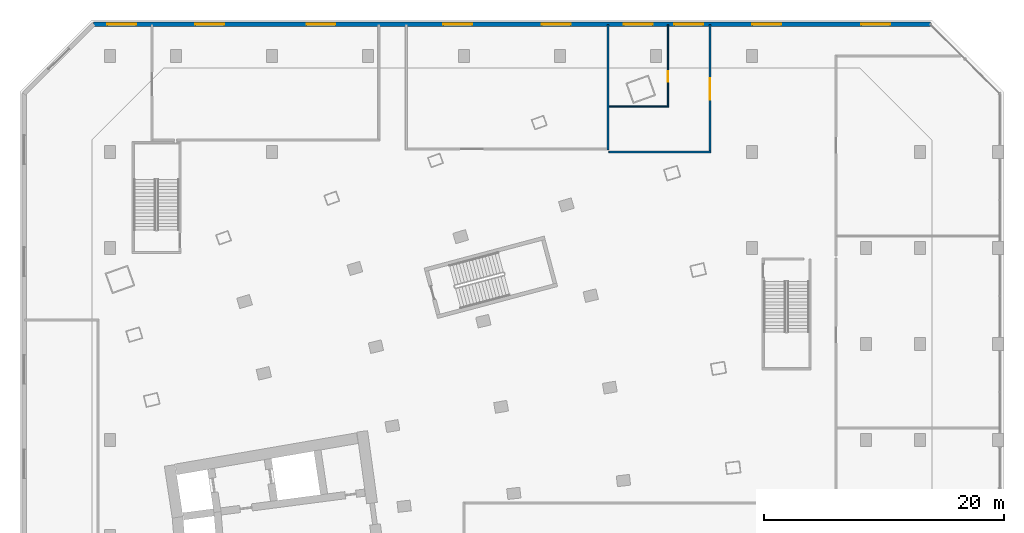
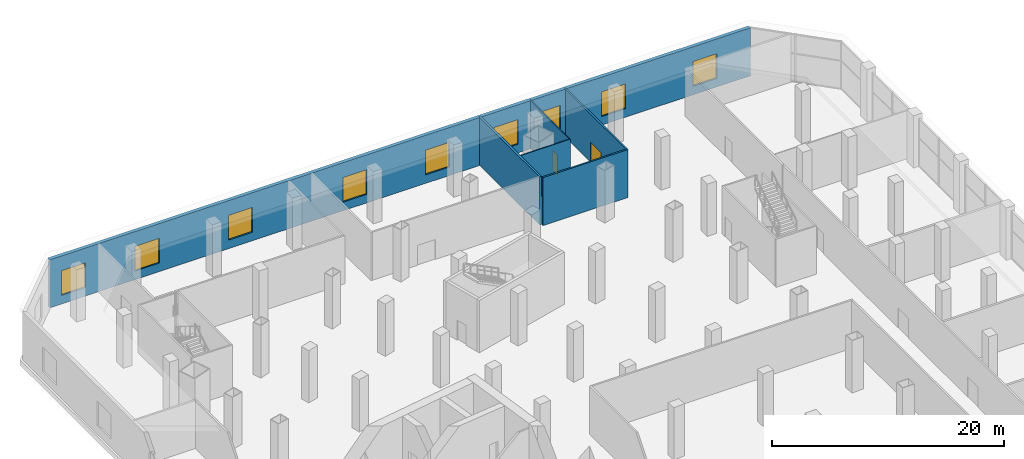
# One storey, part 17 of 26: 9 windows, 6 walls, 2 doors, 11 openings.
"""IFC4 building model written with IfcOpenShell, lengths in metres."""

from ifc_helpers import new_model, si_unit, direction, frame, frame_2d, origin, place, context, subcontext, project, spatial, rectangle, extrude, material, layer, layer_set, type_object, element, fill, save


model = new_model("IFC4")

# Units and contexts
model_context = context("Model", 3, precision=1e-05, world=origin(), true_north=direction((0.0, 1.0)))
body_context = subcontext(model_context, "Body", "Model", "MODEL_VIEW")
ifc_project = project(units=[si_unit("LENGTHUNIT", "METRE"), si_unit("AREAUNIT", "SQUARE_METRE"), si_unit("VOLUMEUNIT", "CUBIC_METRE"), si_unit("PLANEANGLEUNIT", "RADIAN"), si_unit("MASSUNIT", "GRAM", prefix="KILO")], contexts=[model_context])

# Site, building, storey
site_placement = place(None, origin())
site = spatial("IfcSite", under=ifc_project, at=site_placement, CompositionType="ELEMENT")
building_placement = place(site_placement, origin())
building = spatial("IfcBuilding", under=site, at=building_placement, Name="Alderwake Tower", CompositionType="ELEMENT")
storey_placement = place(building_placement, frame((0.0, 0.0, 8.0)))
storey = spatial("IfcBuildingStorey", under=building, at=storey_placement, Name="L01", CompositionType="ELEMENT", Elevation=8.0)

# Wall
ifc_material_1 = material(Name="Gypsum board on metal studs, rated")
ifc_layer_1 = layer(ifc_material_1, 0.159912109375)
ifc_layer_set_1 = layer_set([ifc_layer_1], Name="Corridor wall 160")
wall_type_1 = type_object("IfcWallType", Name="Corridor wall 160", PredefinedType="PARTITIONING", material=ifc_layer_set_1)
wall_1_placement = place(storey_placement, frame((60.5810546875, 104.0009765625, 0.0), z_axis=(0.0, 0.0, 1.0), x_axis=(-1.0, 0.0, 0.0)))
element("IfcWall", 1, at=wall_1_placement, inside=storey, type_object=wall_type_1, Name="WL/L01/W55", PredefinedType="PARTITIONING", context=body_context, shape_type="SweptSolid", body=[
    extrude(rectangle(XDim=8.501953125, YDim=0.159912109375, at=frame_2d((4.2509765625, 0.0))), origin(), (0.0, 0.0, 1.0), 5.050048828125),
])

# Wall, opening, door
wall_2_placement = place(storey_placement, frame((60.5009765625, 114.6201171875, 0.0), z_axis=(0.0, 0.0, 1.0), x_axis=(0.0, -1.0, 0.0)))
wall_2 = element("IfcWall", 2, at=wall_2_placement, inside=storey, type_object=wall_type_1, Name="WL/L01/W56", PredefinedType="PARTITIONING", context=body_context, shape_type="SweptSolid", body=[
    extrude(rectangle(XDim=10.5390625, YDim=0.159912109375, at=frame_2d((5.26953125, 0.0))), origin(), (0.0, 0.0, 1.0), 5.050048828125),
])
opening_1_placement = place(wall_2_placement, frame((4.469970703125, 0.0, 0.0)))
opening_1 = element("IfcOpeningElement", 3, at=opening_1_placement, cuts=wall_2, Name="Opening L01-14", PredefinedType="OPENING", context=body_context, shape_type="SweptSolid", body=[
    extrude(rectangle(XDim=1.800048828125, YDim=2.10009765625, at=frame_2d((0.89990234375, 1.050048828125))), frame((0.0, 0.08984375, 0.0), z_axis=(0.0, -1.0, 0.0), x_axis=(1.0, 0.0, 0.0)), (0.0, 0.0, 1.0), 0.179931640625),
])
ifc_material_2 = material(Name="Aluminium framed glazed leaves", Category="aluminium")
door_type_1 = type_object("IfcDoorType", Name="Shopfront door 1800 glazed double", OperationType="DOUBLE_DOOR_SINGLE_SWING", PredefinedType="DOOR", material=ifc_material_2)
door_1_placement = place(opening_1_placement, origin())
door_1 = element("IfcDoor", 4, at=door_1_placement, inside=storey, type_object=door_type_1, Name="DR/L01/14", OperationType="DOUBLE_DOOR_SINGLE_SWING", OverallHeight=2.10009765625, OverallWidth=1.800048828125, PredefinedType="DOOR", context=body_context, shape_type="SweptSolid", body=[
    extrude(rectangle(XDim=1.800048828125, YDim=2.10009765625, at=frame_2d((0.89990234375, 1.050048828125))), frame((0.0, 0.02490234375, 0.0), z_axis=(0.0, -1.0, 0.0), x_axis=(1.0, 0.0, 0.0)), (0.0, 0.0, 1.0), 0.050048828125),
])
fill(opening_1, door_1)

# Wall, openings, windows
ifc_material_3 = material(Name="Precast concrete C50/60 spandrel panel", Category="concrete")
ifc_layer_2 = layer(ifc_material_3, 0.35009765625)
ifc_layer_set_2 = layer_set([ifc_layer_2], Name="External wall EW4 Precast concrete C50/60 podium")
wall_type_2 = type_object("IfcWallType", Name="External wall EW4 Precast concrete C50/60 podium", PredefinedType="SOLIDWALL", material=ifc_layer_set_2)
wall_3_placement = place(storey_placement, frame((78.85498046875, 114.64990234375, 0.0), z_axis=(0.0, 0.0, 1.0), x_axis=(-1.0, 0.0, 0.0)))
wall_3 = element("IfcWall", 5, at=wall_3_placement, inside=storey, type_object=wall_type_2, Name="External wall 1", PredefinedType="SOLIDWALL", context=body_context, shape_type="SweptSolid", body=[
    extrude(rectangle(XDim=69.72509765625, YDim=0.35009765625, at=frame_2d((34.862548828125, 0.0))), origin(), (0.0, 0.0, 1.0), 5.050048828125),
])
opening_2_placement = place(wall_3_placement, frame((3.343505859375, 0.0, 0.89990234375)))
opening_2 = element("IfcOpeningElement", 6, at=opening_2_placement, cuts=wall_3, Name="Opening W6", PredefinedType="OPENING", context=body_context, shape_type="SweptSolid", body=[
    extrude(rectangle(XDim=2.39990234375, YDim=2.60009765625, at=frame_2d((1.199951171875, 1.300048828125))), frame((0.0, 0.18505859375, 0.0), z_axis=(0.0, -1.0, 0.0), x_axis=(1.0, 0.0, 0.0)), (0.0, 0.0, 1.0), 0.3701171875),
])
opening_3_placement = place(wall_3_placement, frame((12.430419921875, 0.0, 0.89990234375)))
opening_3 = element("IfcOpeningElement", 7, at=opening_3_placement, cuts=wall_3, Name="Opening W6", PredefinedType="OPENING", context=body_context, shape_type="SweptSolid", body=[
    extrude(rectangle(XDim=2.39990234375, YDim=2.60009765625, at=frame_2d((1.199951171875, 1.300048828125))), frame((0.0, 0.18505859375, 0.0), z_axis=(0.0, -1.0, 0.0), x_axis=(1.0, 0.0, 0.0)), (0.0, 0.0, 1.0), 0.3701171875),
])
opening_4_placement = place(wall_3_placement, frame((18.91943359375, 0.0, 0.89990234375)))
opening_4 = element("IfcOpeningElement", 8, at=opening_4_placement, cuts=wall_3, Name="Opening W6", PredefinedType="OPENING", context=body_context, shape_type="SweptSolid", body=[
    extrude(rectangle(XDim=2.39990234375, YDim=2.60009765625, at=frame_2d((1.199951171875, 1.300048828125))), frame((0.0, 0.18505859375, 0.0), z_axis=(0.0, -1.0, 0.0), x_axis=(1.0, 0.0, 0.0)), (0.0, 0.0, 1.0), 0.3701171875),
])
opening_5_placement = place(wall_3_placement, frame((23.130615234375, 0.0, 0.89990234375)))
opening_5 = element("IfcOpeningElement", 9, at=opening_5_placement, cuts=wall_3, Name="Opening W6", PredefinedType="OPENING", context=body_context, shape_type="SweptSolid", body=[
    extrude(rectangle(XDim=2.39990234375, YDim=2.60009765625, at=frame_2d((1.199951171875, 1.300048828125))), frame((0.0, 0.18505859375, 0.0), z_axis=(0.0, -1.0, 0.0), x_axis=(1.0, 0.0, 0.0)), (0.0, 0.0, 1.0), 0.3701171875),
])
opening_6_placement = place(wall_3_placement, frame((29.9609375, 0.0, 0.89990234375)))
opening_6 = element("IfcOpeningElement", 10, at=opening_6_placement, cuts=wall_3, Name="Opening W6", PredefinedType="OPENING", context=body_context, shape_type="SweptSolid", body=[
    extrude(rectangle(XDim=2.39990234375, YDim=2.60009765625, at=frame_2d((1.199951171875, 1.300048828125))), frame((0.0, 0.18505859375, 0.0), z_axis=(0.0, -1.0, 0.0), x_axis=(1.0, 0.0, 0.0)), (0.0, 0.0, 1.0), 0.3701171875),
])
opening_7_placement = place(wall_3_placement, frame((38.1708984375, 0.0, 0.89990234375)))
opening_7 = element("IfcOpeningElement", 11, at=opening_7_placement, cuts=wall_3, Name="Opening W6", PredefinedType="OPENING", context=body_context, shape_type="SweptSolid", body=[
    extrude(rectangle(XDim=2.39990234375, YDim=2.60009765625, at=frame_2d((1.199951171875, 1.300048828125))), frame((0.0, 0.18505859375, 0.0), z_axis=(0.0, -1.0, 0.0), x_axis=(1.0, 0.0, 0.0)), (0.0, 0.0, 1.0), 0.3701171875),
])
opening_8_placement = place(wall_3_placement, frame((49.569091796875, 0.0, 0.89990234375)))
opening_8 = element("IfcOpeningElement", 12, at=opening_8_placement, cuts=wall_3, Name="Opening W6", PredefinedType="OPENING", context=body_context, shape_type="SweptSolid", body=[
    extrude(rectangle(XDim=2.39990234375, YDim=2.60009765625, at=frame_2d((1.199951171875, 1.300048828125))), frame((0.0, 0.18505859375, 0.0), z_axis=(0.0, -1.0, 0.0), x_axis=(1.0, 0.0, 0.0)), (0.0, 0.0, 1.0), 0.3701171875),
])
opening_9_placement = place(wall_3_placement, frame((58.839111328125, 0.0, 0.89990234375)))
opening_9 = element("IfcOpeningElement", 13, at=opening_9_placement, cuts=wall_3, Name="Opening W6", PredefinedType="OPENING", context=body_context, shape_type="SweptSolid", body=[
    extrude(rectangle(XDim=2.39990234375, YDim=2.60009765625, at=frame_2d((1.199951171875, 1.300048828125))), frame((0.0, 0.18505859375, 0.0), z_axis=(0.0, -1.0, 0.0), x_axis=(1.0, 0.0, 0.0)), (0.0, 0.0, 1.0), 0.3701171875),
])
opening_10_placement = place(wall_3_placement, frame((66.179443359375, 0.0, 0.89990234375)))
opening_10 = element("IfcOpeningElement", 14, at=opening_10_placement, cuts=wall_3, Name="Opening W6", PredefinedType="OPENING", context=body_context, shape_type="SweptSolid", body=[
    extrude(rectangle(XDim=2.39990234375, YDim=2.60009765625, at=frame_2d((1.199951171875, 1.300048828125))), frame((0.0, 0.18505859375, 0.0), z_axis=(0.0, -1.0, 0.0), x_axis=(1.0, 0.0, 0.0)), (0.0, 0.0, 1.0), 0.3701171875),
])
ifc_material_4 = material(Name="Bronze tinted glass in aluminium frame", Category="aluminium")
window_type = type_object("IfcWindowType", Name="Window W6 podium", PartitioningType="DOUBLE_PANEL_VERTICAL", PredefinedType="WINDOW", material=ifc_material_4)
window_1_placement = place(opening_2_placement, origin())
window_1 = element("IfcWindow", 15, at=window_1_placement, inside=storey, type_object=window_type, Name="Window W6 podium", OverallHeight=2.60009765625, OverallWidth=2.39990234375, PartitioningType="DOUBLE_PANEL_VERTICAL", PredefinedType="WINDOW", context=body_context, shape_type="SweptSolid", body=[
    extrude(rectangle(XDim=2.39990234375, YDim=2.60009765625, at=frame_2d((1.199951171875, 1.300048828125))), frame((0.0, 0.030029296875, 0.0), z_axis=(0.0, -1.0, 0.0), x_axis=(1.0, 0.0, 0.0)), (0.0, 0.0, 1.0), 0.06005859375),
])
fill(opening_2, window_1)
window_2_placement = place(opening_3_placement, origin())
window_2 = element("IfcWindow", 16, at=window_2_placement, inside=storey, type_object=window_type, Name="Window W6 podium", OverallHeight=2.60009765625, OverallWidth=2.39990234375, PartitioningType="DOUBLE_PANEL_VERTICAL", PredefinedType="WINDOW", context=body_context, shape_type="SweptSolid", body=[
    extrude(rectangle(XDim=2.39990234375, YDim=2.60009765625, at=frame_2d((1.199951171875, 1.300048828125))), frame((0.0, 0.030029296875, 0.0), z_axis=(0.0, -1.0, 0.0), x_axis=(1.0, 0.0, 0.0)), (0.0, 0.0, 1.0), 0.06005859375),
])
fill(opening_3, window_2)
window_3_placement = place(opening_4_placement, origin())
window_3 = element("IfcWindow", 17, at=window_3_placement, inside=storey, type_object=window_type, Name="Window W6 podium", OverallHeight=2.60009765625, OverallWidth=2.39990234375, PartitioningType="DOUBLE_PANEL_VERTICAL", PredefinedType="WINDOW", context=body_context, shape_type="SweptSolid", body=[
    extrude(rectangle(XDim=2.39990234375, YDim=2.60009765625, at=frame_2d((1.199951171875, 1.300048828125))), frame((0.0, 0.030029296875, 0.0), z_axis=(0.0, -1.0, 0.0), x_axis=(1.0, 0.0, 0.0)), (0.0, 0.0, 1.0), 0.06005859375),
])
fill(opening_4, window_3)
window_4_placement = place(opening_5_placement, origin())
window_4 = element("IfcWindow", 18, at=window_4_placement, inside=storey, type_object=window_type, Name="Window W6 podium", OverallHeight=2.60009765625, OverallWidth=2.39990234375, PartitioningType="DOUBLE_PANEL_VERTICAL", PredefinedType="WINDOW", context=body_context, shape_type="SweptSolid", body=[
    extrude(rectangle(XDim=2.39990234375, YDim=2.60009765625, at=frame_2d((1.199951171875, 1.300048828125))), frame((0.0, 0.030029296875, 0.0), z_axis=(0.0, -1.0, 0.0), x_axis=(1.0, 0.0, 0.0)), (0.0, 0.0, 1.0), 0.06005859375),
])
fill(opening_5, window_4)
window_5_placement = place(opening_6_placement, origin())
window_5 = element("IfcWindow", 19, at=window_5_placement, inside=storey, type_object=window_type, Name="Window W6 podium", OverallHeight=2.60009765625, OverallWidth=2.39990234375, PartitioningType="DOUBLE_PANEL_VERTICAL", PredefinedType="WINDOW", context=body_context, shape_type="SweptSolid", body=[
    extrude(rectangle(XDim=2.39990234375, YDim=2.60009765625, at=frame_2d((1.199951171875, 1.300048828125))), frame((0.0, 0.030029296875, 0.0), z_axis=(0.0, -1.0, 0.0), x_axis=(1.0, 0.0, 0.0)), (0.0, 0.0, 1.0), 0.06005859375),
])
fill(opening_6, window_5)
window_6_placement = place(opening_7_placement, origin())
window_6 = element("IfcWindow", 20, at=window_6_placement, inside=storey, type_object=window_type, Name="Window W6 podium", OverallHeight=2.60009765625, OverallWidth=2.39990234375, PartitioningType="DOUBLE_PANEL_VERTICAL", PredefinedType="WINDOW", context=body_context, shape_type="SweptSolid", body=[
    extrude(rectangle(XDim=2.39990234375, YDim=2.60009765625, at=frame_2d((1.199951171875, 1.300048828125))), frame((0.0, 0.030029296875, 0.0), z_axis=(0.0, -1.0, 0.0), x_axis=(1.0, 0.0, 0.0)), (0.0, 0.0, 1.0), 0.06005859375),
])
fill(opening_7, window_6)
window_7_placement = place(opening_8_placement, origin())
window_7 = element("IfcWindow", 21, at=window_7_placement, inside=storey, type_object=window_type, Name="Window W6 podium", OverallHeight=2.60009765625, OverallWidth=2.39990234375, PartitioningType="DOUBLE_PANEL_VERTICAL", PredefinedType="WINDOW", context=body_context, shape_type="SweptSolid", body=[
    extrude(rectangle(XDim=2.39990234375, YDim=2.60009765625, at=frame_2d((1.199951171875, 1.300048828125))), frame((0.0, 0.030029296875, 0.0), z_axis=(0.0, -1.0, 0.0), x_axis=(1.0, 0.0, 0.0)), (0.0, 0.0, 1.0), 0.06005859375),
])
fill(opening_8, window_7)
window_8_placement = place(opening_9_placement, origin())
window_8 = element("IfcWindow", 22, at=window_8_placement, inside=storey, type_object=window_type, Name="Window W6 podium", OverallHeight=2.60009765625, OverallWidth=2.39990234375, PartitioningType="DOUBLE_PANEL_VERTICAL", PredefinedType="WINDOW", context=body_context, shape_type="SweptSolid", body=[
    extrude(rectangle(XDim=2.39990234375, YDim=2.60009765625, at=frame_2d((1.199951171875, 1.300048828125))), frame((0.0, 0.030029296875, 0.0), z_axis=(0.0, -1.0, 0.0), x_axis=(1.0, 0.0, 0.0)), (0.0, 0.0, 1.0), 0.06005859375),
])
fill(opening_9, window_8)
window_9_placement = place(opening_10_placement, origin())
window_9 = element("IfcWindow", 23, at=window_9_placement, inside=storey, type_object=window_type, Name="Window W6 podium", OverallHeight=2.60009765625, OverallWidth=2.39990234375, PartitioningType="DOUBLE_PANEL_VERTICAL", PredefinedType="WINDOW", context=body_context, shape_type="SweptSolid", body=[
    extrude(rectangle(XDim=2.39990234375, YDim=2.60009765625, at=frame_2d((1.199951171875, 1.300048828125))), frame((0.0, 0.030029296875, 0.0), z_axis=(0.0, -1.0, 0.0), x_axis=(1.0, 0.0, 0.0)), (0.0, 0.0, 1.0), 0.06005859375),
])
fill(opening_10, window_9)

# Walls
ifc_material_5 = material(Name="Dense block masonry wall", Category="masonry")
ifc_layer_3 = layer(ifc_material_5, 0.199951171875)
ifc_layer_set_3 = layer_set([ifc_layer_3], Name="Party wall 200")
wall_type_3 = type_object("IfcWallType", Name="Party wall 200", PredefinedType="SOLIDWALL", material=ifc_layer_set_3)
wall_4_placement = place(storey_placement, frame((51.9990234375, 104.169921875, 0.0), z_axis=(0.0, 0.0, 1.0), x_axis=(0.0, 1.0, 0.0)))
element("IfcWall", 24, at=wall_4_placement, inside=storey, type_object=wall_type_3, Name="WL/L01/W01", PredefinedType="SOLIDWALL", context=body_context, shape_type="SweptSolid", body=[
    extrude(rectangle(XDim=10.4501953125, YDim=0.199951171875, at=frame_2d((5.22509765625, 0.0))), origin(), (0.0, 0.0, 1.0), 5.050048828125),
])
ifc_material_6 = material(Name="Gypsum board on metal studs")
ifc_layer_4 = layer(ifc_material_6, 0.10009765625)
ifc_layer_set_4 = layer_set([ifc_layer_4], Name="Unit partition 100")
wall_type_4 = type_object("IfcWallType", Name="Unit partition 100", PredefinedType="PARTITIONING", material=ifc_layer_set_4)
wall_5_placement = place(storey_placement, frame((57.050048828125, 107.799072265625, 0.0), z_axis=(0.0, 0.0, 1.0), x_axis=(-1.0, 0.0, 0.0)))
element("IfcWall", 25, at=wall_5_placement, inside=storey, type_object=wall_type_4, Name="WL/L01/W68", PredefinedType="PARTITIONING", context=body_context, shape_type="SweptSolid", body=[
    extrude(rectangle(XDim=4.950927734375, YDim=0.10009765625, at=frame_2d((2.4755859375, 0.0))), origin(), (0.0, 0.0, 1.0), 5.050048828125),
])

# Wall, opening, door
wall_6_placement = place(storey_placement, frame((57.0, 114.6201171875, 0.0), z_axis=(0.0, 0.0, 1.0), x_axis=(0.0, -1.0, 0.0)))
wall_6 = element("IfcWall", 26, at=wall_6_placement, inside=storey, type_object=wall_type_4, Name="WL/L01/W69", PredefinedType="PARTITIONING", context=body_context, shape_type="SweptSolid", body=[
    extrude(rectangle(XDim=6.77099609375, YDim=0.10009765625, at=frame_2d((3.385498046875, 0.0))), origin(), (0.0, 0.0, 1.0), 5.050048828125),
])
opening_11_placement = place(wall_6_placement, frame((3.8701171875, 0.0, 0.0)))
opening_11 = element("IfcOpeningElement", 27, at=opening_11_placement, cuts=wall_6, Name="Opening L01-24", PredefinedType="OPENING", context=body_context, shape_type="SweptSolid", body=[
    extrude(rectangle(XDim=0.89990234375, YDim=2.10009765625, at=frame_2d((0.449951171875, 1.050048828125))), frame((0.0, 0.06005859375, 0.0), z_axis=(0.0, -1.0, 0.0), x_axis=(1.0, 0.0, 0.0)), (0.0, 0.0, 1.0), 0.1201171875),
])
ifc_material_7 = material(Name="Painted timber leaf", Category="wood")
door_type_2 = type_object("IfcDoorType", Name="Room door 900", OperationType="SINGLE_SWING_LEFT", PredefinedType="DOOR", material=ifc_material_7)
door_2_placement = place(opening_11_placement, origin())
door_2 = element("IfcDoor", 28, at=door_2_placement, inside=storey, type_object=door_type_2, Name="DR/L01/24", OperationType="SINGLE_SWING_LEFT", OverallHeight=2.10009765625, OverallWidth=0.89990234375, PredefinedType="DOOR", context=body_context, shape_type="SweptSolid", body=[
    extrude(rectangle(XDim=0.89990234375, YDim=2.10009765625, at=frame_2d((0.449951171875, 1.050048828125))), frame((0.0, 0.02490234375, 0.0), z_axis=(0.0, -1.0, 0.0), x_axis=(1.0, 0.0, 0.0)), (0.0, 0.0, 1.0), 0.050048828125),
])
fill(opening_11, door_2)

save(model, "model.ifc")
